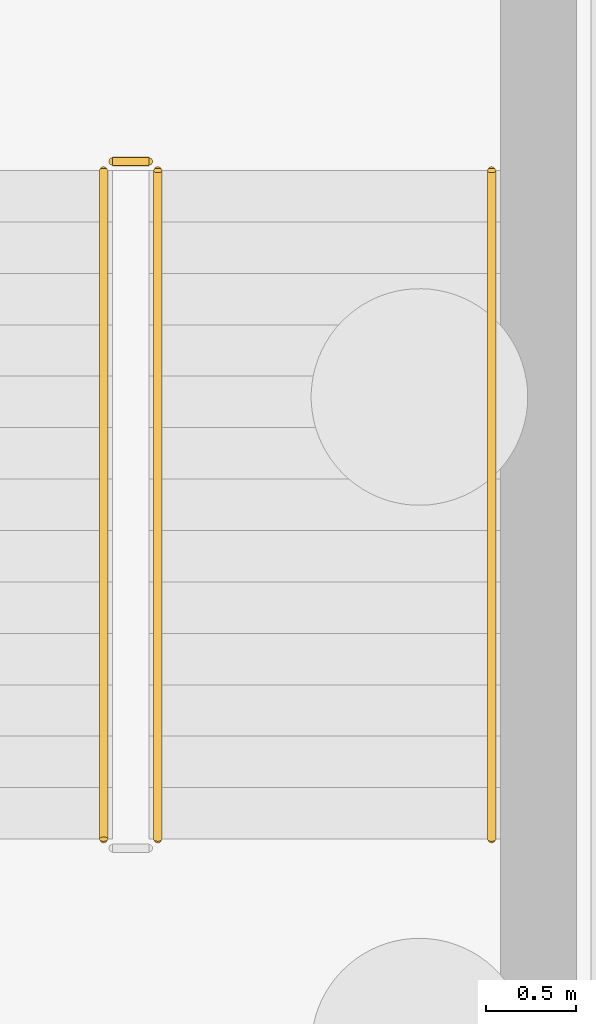
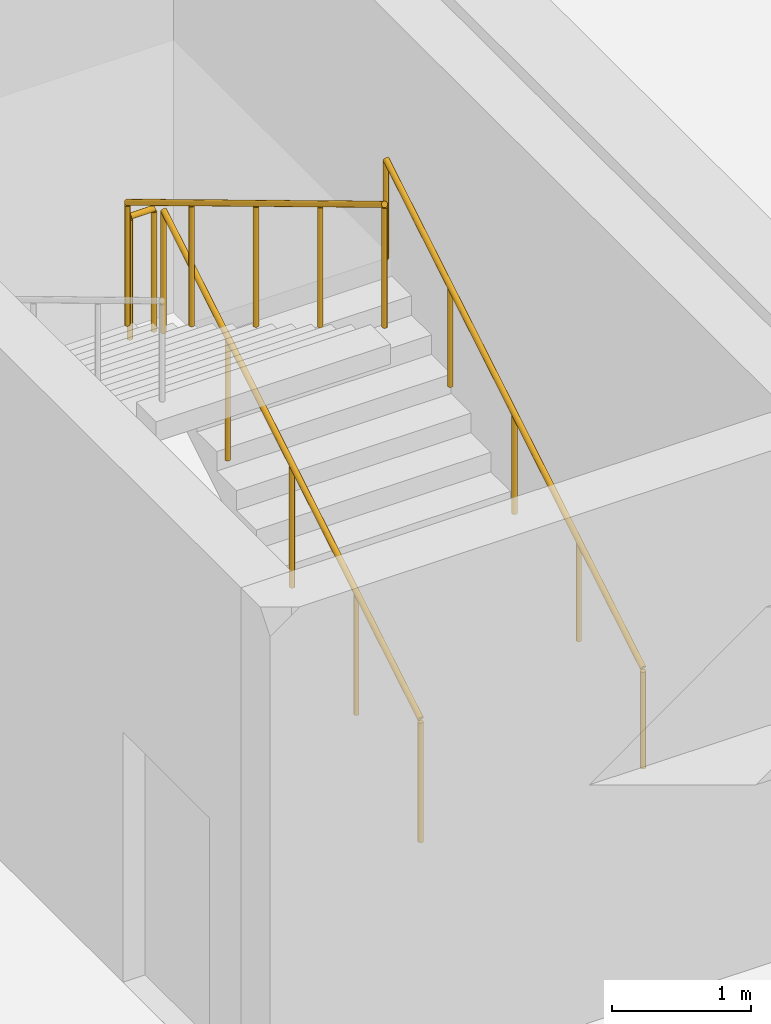
# One storey, part 40 of 47: 4 railings.
"""IFC4 building model written with IfcOpenShell, lengths in metres."""

from ifc_helpers import new_model, si_unit, direction, frame, origin, origin_2d, place, context, subcontext, project, spatial, circle, extrude, material, type_object, element, save


model = new_model("IFC4")

# Units and contexts
model_context = context("Model", 3, precision=1e-05, world=origin(), true_north=direction((0.0, 1.0)))
body_context = subcontext(model_context, "Body", "Model", "MODEL_VIEW")
ifc_project = project(units=[si_unit("LENGTHUNIT", "METRE"), si_unit("AREAUNIT", "SQUARE_METRE"), si_unit("VOLUMEUNIT", "CUBIC_METRE"), si_unit("PLANEANGLEUNIT", "RADIAN"), si_unit("MASSUNIT", "GRAM", prefix="KILO")], contexts=[model_context])

# Site, building, storey
site_placement = place(None, origin())
site = spatial("IfcSite", under=ifc_project, at=site_placement, CompositionType="ELEMENT")
building_placement = place(site_placement, origin())
building = spatial("IfcBuilding", under=site, at=building_placement, Name="Cendralis Terraced Arcade", CompositionType="ELEMENT")
storey_placement = place(building_placement, frame((0.0, 0.0, -4.800048828125)))
storey = spatial("IfcBuildingStorey", under=building, at=storey_placement, Name="B1", CompositionType="ELEMENT", Elevation=-4.800048828125)

# Railings
ifc_material = material(Name="Brushed stainless steel AISI 316", Category="steel")
railing_type_1 = type_object("IfcRailingType", Name="RL-STAIR-GUARD-1100", PredefinedType="GUARDRAIL", material=ifc_material)
railing_1_placement = place(storey_placement, frame((154.5, 73.949951171875, 0.17138671875)))
element("IfcRailing", 1, at=railing_1_placement, inside=storey, type_object=railing_type_1, Name="B1 ST-06 stair guard 1", PredefinedType="GUARDRAIL", context=body_context, shape_type="SweptSolid", body=[
    extrude(circle(Radius=0.02392578125, at=origin_2d()), frame((0.0, 0.0, 1.076171875), z_axis=(0.0, 0.856909459561, 0.515466951525), x_axis=(-1.0, 0.0, 0.0)), (0.0, 0.0, 1.0), 4.32373046875),
    extrude(circle(Radius=0.02099609375, at=origin_2d()), origin(), (0.0, 0.0, 1.0), 1.052001953125),
    extrude(circle(Radius=0.02099609375, at=origin_2d()), frame((0.0, 0.92626953125, 0.55712890625)), (0.0, 0.0, 1.0), 1.052001953125),
    extrude(circle(Radius=0.02099609375, at=origin_2d()), frame((0.0, 1.8525390625, 1.1142578125)), (0.0, 0.0, 1.0), 1.052001953125),
    extrude(circle(Radius=0.02099609375, at=origin_2d()), frame((0.0, 2.77880859375, 1.671630859375)), (0.0, 0.0, 1.0), 1.052001953125),
    extrude(circle(Radius=0.02099609375, at=origin_2d()), frame((0.0, 3.705078125, 2.228759765625)), (0.0, 0.0, 1.0), 1.052001953125),
])
railing_2_placement = place(storey_placement, frame((154.449951171875, 77.705078125, 2.400146484375)))
element("IfcRailing", 2, at=railing_2_placement, inside=storey, type_object=railing_type_1, Name="B1 ST-06 stair guard 2", PredefinedType="GUARDRAIL", context=body_context, shape_type="SweptSolid", body=[
    extrude(circle(Radius=0.02392578125, at=origin_2d()), frame((0.0, 0.0, 1.076171875), z_axis=(-1.0, 0.0, 0.0), x_axis=(0.0, -1.0, 0.0)), (0.0, 0.0, 1.0), 0.199951171875),
    extrude(circle(Radius=0.02099609375, at=origin_2d()), origin(), (0.0, 0.0, 1.0), 1.052001953125),
    extrude(circle(Radius=0.02099609375, at=origin_2d()), frame((-0.199951171875, 0.0, 0.0)), (0.0, 0.0, 1.0), 1.052001953125),
])
railing_3_placement = place(storey_placement, frame((154.199951171875, 77.655029296875, 2.571533203125)))
element("IfcRailing", 3, at=railing_3_placement, inside=storey, type_object=railing_type_1, Name="B1 ST-06 stair guard 3", PredefinedType="GUARDRAIL", context=body_context, shape_type="SweptSolid", body=[
    extrude(circle(Radius=0.02392578125, at=origin_2d()), frame((0.0, 0.0, 1.076171875), z_axis=(0.0, -0.856934400257, 0.515425487977), x_axis=(1.0, 0.0, 0.0)), (0.0, 0.0, 1.0), 4.32373046875),
    extrude(circle(Radius=0.02099609375, at=origin_2d()), origin(), (0.0, 0.0, 1.0), 1.052001953125),
    extrude(circle(Radius=0.02099609375, at=origin_2d()), frame((0.0, -0.92626953125, 0.55712890625)), (0.0, 0.0, 1.0), 1.052001953125),
    extrude(circle(Radius=0.02099609375, at=origin_2d()), frame((0.0, -1.8525390625, 1.1142578125)), (0.0, 0.0, 1.0), 1.052001953125),
    extrude(circle(Radius=0.02099609375, at=origin_2d()), frame((0.0, -2.77880859375, 1.67138671875)), (0.0, 0.0, 1.0), 1.052001953125),
    extrude(circle(Radius=0.02099609375, at=origin_2d()), frame((0.0, -3.705078125, 2.228515625)), (0.0, 0.0, 1.0), 1.052001953125),
])
railing_type_2 = type_object("IfcRailingType", Name="RL-STAIR-HAND-900", PredefinedType="HANDRAIL", material=ifc_material)
railing_4_placement = place(storey_placement, frame((156.35009765625, 73.949951171875, 0.17138671875)))
element("IfcRailing", 4, at=railing_4_placement, inside=storey, type_object=railing_type_2, Name="B1 ST-06 stair handrail 1", PredefinedType="HANDRAIL", context=body_context, shape_type="SweptSolid", body=[
    extrude(circle(Radius=0.02392578125, at=origin_2d()), frame((0.0, 0.0, 0.8759765625), z_axis=(0.0, 0.856909459561, 0.515466951525), x_axis=(-1.0, 0.0, 0.0)), (0.0, 0.0, 1.0), 4.32373046875),
    extrude(circle(Radius=0.02099609375, at=origin_2d()), origin(), (0.0, 0.0, 1.0), 0.851806640625),
    extrude(circle(Radius=0.02099609375, at=origin_2d()), frame((0.0, 0.92626953125, 0.55712890625)), (0.0, 0.0, 1.0), 0.851806640625),
    extrude(circle(Radius=0.02099609375, at=origin_2d()), frame((0.0, 1.8525390625, 1.1142578125)), (0.0, 0.0, 1.0), 0.851806640625),
    extrude(circle(Radius=0.02099609375, at=origin_2d()), frame((0.0, 2.77880859375, 1.671630859375)), (0.0, 0.0, 1.0), 0.851806640625),
    extrude(circle(Radius=0.02099609375, at=origin_2d()), frame((0.0, 3.705078125, 2.228759765625)), (0.0, 0.0, 1.0), 0.851806640625),
])

save(model, "model.ifc")
